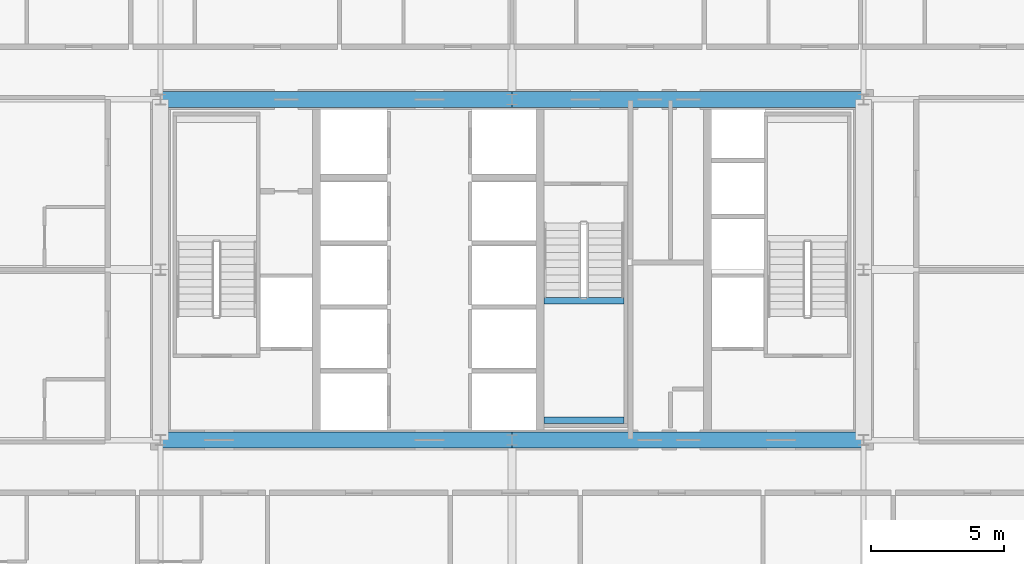
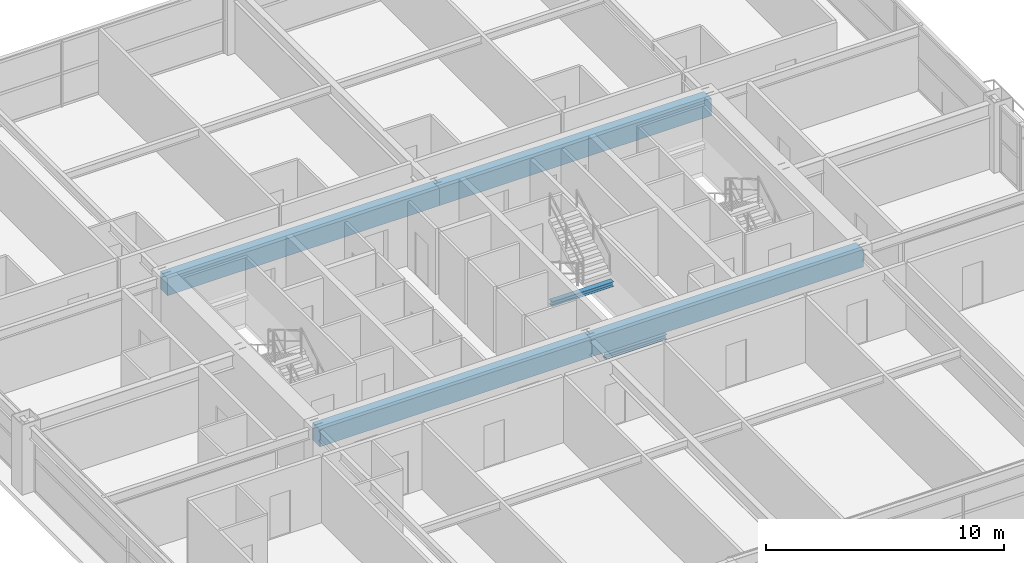
# One storey, part 13 of 43: 6 beams.
"""IFC4 building model written with IfcOpenShell, lengths in metres."""

from ifc_helpers import new_model, si_unit, direction, frame, origin, origin_2d, place, context, subcontext, project, spatial, rectangle, i_section, extrude, source, transform, mapped, material, material_profile, profile_set, type_object, element, save


model = new_model("IFC4")

# Units and contexts
model_context = context("Model", 3, precision=1e-05, world=origin(), true_north=direction((0.0, 1.0)))
body_context = subcontext(model_context, "Body", "Model", "MODEL_VIEW")
ifc_project = project(units=[si_unit("LENGTHUNIT", "METRE"), si_unit("AREAUNIT", "SQUARE_METRE"), si_unit("VOLUMEUNIT", "CUBIC_METRE"), si_unit("PLANEANGLEUNIT", "RADIAN"), si_unit("MASSUNIT", "GRAM", prefix="KILO"), si_unit("THERMODYNAMICTEMPERATUREUNIT", "KELVIN"), si_unit("POWERUNIT", "WATT")], contexts=[model_context])

# Site, building, storey
site_placement = place(None, origin())
site = spatial("IfcSite", under=ifc_project, at=site_placement, CompositionType="ELEMENT")
building_placement = place(site_placement, origin())
building = spatial("IfcBuilding", under=site, at=building_placement, Name="Yuzanri Waterfront Tower", CompositionType="ELEMENT")
storey_placement = place(building_placement, frame((0.0, 0.0, 159.60009765625)))
storey = spatial("IfcBuildingStorey", under=building, at=storey_placement, Name="L42", CompositionType="ELEMENT", Elevation=159.60009765625)

# Beams
ifc_material_1 = material(Name="Concrete C60", Category="concrete")
ifc_material_profile_1 = material_profile(ifc_material_1, rectangle(XDim=0.60009765625, YDim=0.89990234375, at=origin_2d()), Name="RC 600x900")
ifc_profile_set_1 = profile_set([ifc_material_profile_1], Name="Concrete C60")
beam_type_1 = type_object("IfcBeamType", Name="Core Coupling Lintel Concrete C60 600x900", PredefinedType="LINTEL", material=ifc_profile_set_1)
shared_shape_1 = source(origin(), body_context, "Body", "SweptSolid", [
    extrude(rectangle(XDim=0.60009765625, YDim=0.89990234375, at=origin_2d()), origin(), (0.0, 0.0, 1.0), 13.199951171875),
])
for number, where, z_axis, x_axis, name in (
    (1, (23.800048828125, 19.39990234375, 2.929931640625), (1.0, 0.0, 0.0), (0.0, 1.0, 0.0), "L42 Core Tie Beam CS1"),
    (2, (37.0, 19.39990234375, 2.929931640625), (1.0, 0.0, 0.0), (0.0, 1.0, 0.0), "L42 Core Tie Beam CS2"),
    (3, (23.800048828125, 32.199951171875, 2.929931640625), (1.0, 0.0, 0.0), (0.0, 1.0, 0.0), "L42 Core Tie Beam CN1"),
    (4, (37.0, 32.199951171875, 2.929931640625), (1.0, 0.0, 0.0), (0.0, 1.0, 0.0), "L42 Core Tie Beam CN2"),
):
    element("IfcBeam", number, at=place(storey_placement, frame(where, z_axis=z_axis, x_axis=x_axis)), inside=storey, type_object=beam_type_1, Name=name, PredefinedType="LINTEL", context=body_context, shape_type="MappedRepresentation", body=[
        mapped(shared_shape_1, transform((0.0, 0.0, 0.0), scale=1.0)),
    ])
ifc_material_2 = material(Name="Steel Q355B", Category="steel")
ifc_material_profile_2 = material_profile(ifc_material_2, i_section(OverallWidth=0.25, OverallDepth=0.25, WebThickness=0.009033203125, FlangeThickness=0.013916015625, at=origin_2d()), Name="HW 250x250x9x14")
ifc_profile_set_2 = profile_set([ifc_material_profile_2], Name="Steel Q355B")
beam_type_2 = type_object("IfcBeamType", Name="Stair Landing Support Beam Q355B HW 250x250", PredefinedType="BEAM", material=ifc_profile_set_2)
shared_shape_2 = source(origin(), body_context, "Body", "SweptSolid", [
    extrude(i_section(OverallWidth=0.25, OverallDepth=0.25, WebThickness=0.009033203125, FlangeThickness=0.013916015625, at=origin_2d()), origin(), (0.0, 0.0, 1.0), 3.0),
])
for number, where, z_axis, x_axis, name in (
    (5, (38.199951171875, 20.14990234375, 1.474853515625), (1.0, 0.0, 0.0), (0.0, 1.0, 0.0), "L42 Stair Landing Support Beam ST-03-L42-L1-1"),
    (6, (38.199951171875, 24.6298828125, 1.474853515625), (1.0, 0.0, 0.0), (0.0, 1.0, 0.0), "L42 Stair Landing Support Beam ST-03-L42-L1-2"),
):
    element("IfcBeam", number, at=place(storey_placement, frame(where, z_axis=z_axis, x_axis=x_axis)), inside=storey, type_object=beam_type_2, Name=name, PredefinedType="BEAM", context=body_context, shape_type="MappedRepresentation", body=[
        mapped(shared_shape_2, transform((0.0, 0.0, 0.0), scale=1.0)),
    ])

save(model, "model.ifc")
